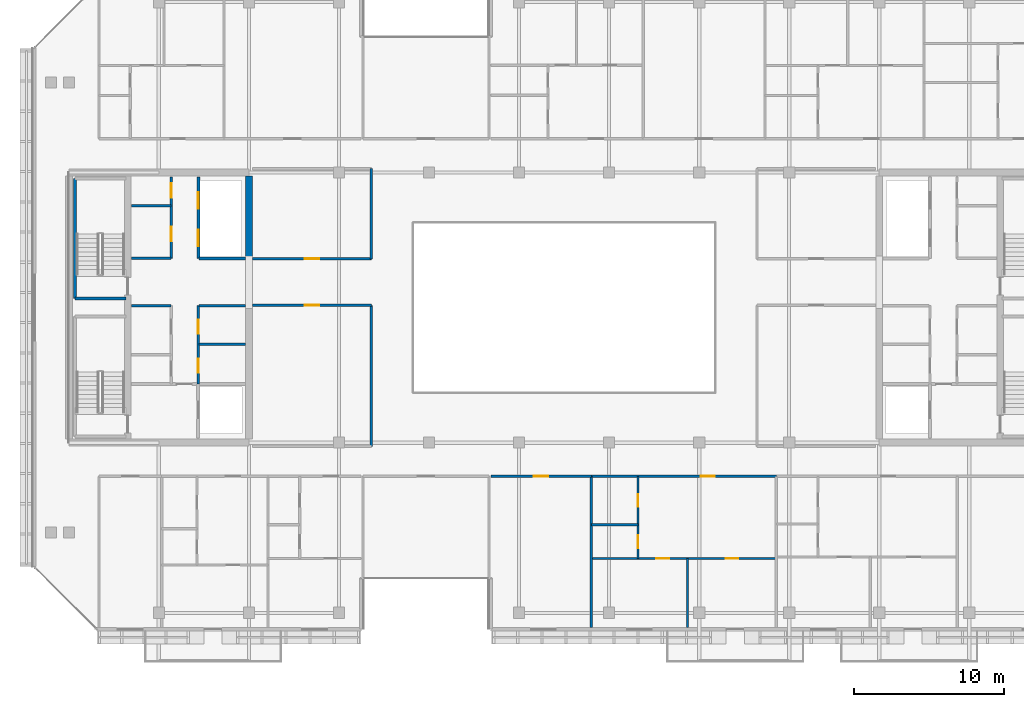
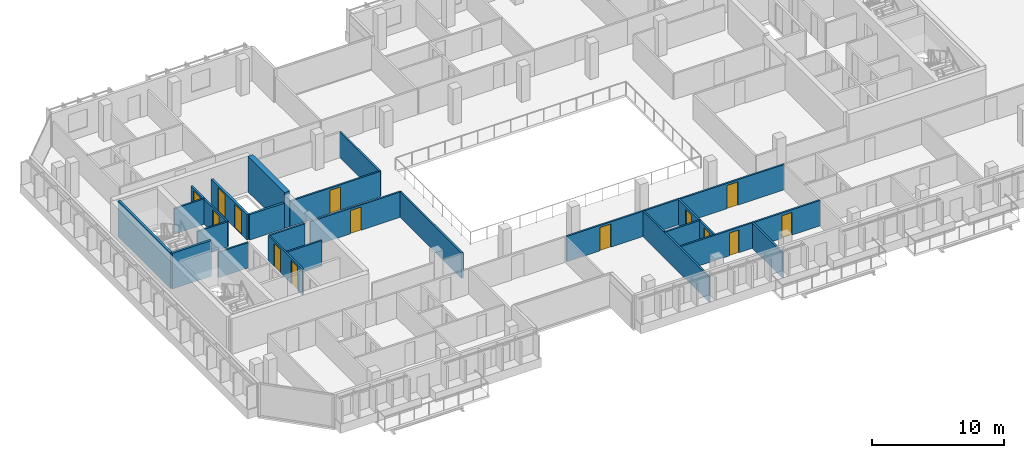
# One storey, part 15 of 25: 23 walls, 14 doors, 14 openings.
"""IFC4 building model written with IfcOpenShell, lengths in metres."""

from ifc_helpers import new_model, si_unit, direction, frame, frame_2d, origin, place, context, subcontext, project, spatial, rectangle, extrude, material, layer, layer_set, type_object, element, fill, save


model = new_model("IFC4")

# Units and contexts
model_context = context("Model", 3, precision=1e-05, world=origin(), true_north=direction((0.0, 1.0)))
body_context = subcontext(model_context, "Body", "Model", "MODEL_VIEW")
ifc_project = project(units=[si_unit("LENGTHUNIT", "METRE"), si_unit("AREAUNIT", "SQUARE_METRE"), si_unit("VOLUMEUNIT", "CUBIC_METRE"), si_unit("PLANEANGLEUNIT", "RADIAN"), si_unit("MASSUNIT", "GRAM", prefix="KILO")], contexts=[model_context])

# Site, building, storey
site_placement = place(None, origin())
site = spatial("IfcSite", under=ifc_project, at=site_placement, CompositionType="ELEMENT")
building_placement = place(site_placement, origin())
building = spatial("IfcBuilding", under=site, at=building_placement, Name="Tanjung Sevakor Pilgrim Tower", CompositionType="ELEMENT")
storey_placement = place(building_placement, frame((0.0, 0.0, 204.929931640625)))
storey = spatial("IfcBuildingStorey", under=building, at=storey_placement, Name="L57", CompositionType="ELEMENT", Elevation=204.929931640625)

# Walls
ifc_material_1 = material(Name="Concrete C60/75", Category="concrete")
ifc_layer_1 = layer(ifc_material_1, 0.449951171875)
ifc_layer_set_1 = layer_set([ifc_layer_1], Name="WALL-CW-450")
wall_type_1 = type_object("IfcWallType", Name="WALL-CW-450", PredefinedType="SHEAR", material=ifc_layer_set_1)
wall_1_placement = place(storey_placement, frame((36.0, 36.800048828125, 0.0), z_axis=(0.0, 0.0, 1.0), x_axis=(0.0, 1.0, 0.0)))
element("IfcWall", 1, at=wall_1_placement, inside=storey, type_object=wall_type_1, Name="L57 W Core Inner Shear Wall North", PredefinedType="SHEAR", context=body_context, shape_type="SweptSolid", body=[
    extrude(rectangle(XDim=5.574951171875, YDim=0.449951171875, at=frame_2d((2.78759765625, 0.0))), origin(), (0.0, 0.0, 1.0), 3.300048828125),
])
ifc_material_2 = material(Name="Concrete C40/50", Category="concrete")
ifc_layer_2 = layer(ifc_material_2, 0.14990234375)
ifc_layer_set_2 = layer_set([ifc_layer_2], Name="WT-COMP-150")
wall_type_2 = type_object("IfcWallType", Name="WT-COMP-150", PredefinedType="SOLIDWALL", material=ifc_layer_set_2)
wall_2_placement = place(storey_placement, frame((28.169921875, 33.719970703125, 0.0), z_axis=(0.0, 0.0, 1.0), x_axis=(1.0, 0.0, 0.0)))
element("IfcWall", 2, at=wall_2_placement, inside=storey, type_object=wall_type_2, Name="L57 Partition IW-L57-004", PredefinedType="SOLIDWALL", context=body_context, shape_type="SweptSolid", body=[
    extrude(rectangle(XDim=2.630126953125, YDim=0.14990234375, at=frame_2d((1.31494140625, 0.0))), origin(), (0.0, 0.0, 1.0), 2.35009765625),
])
for number, where, z_axis, x_axis, name in (
    (3, (32.679931640625, 31.14990234375, 0.0), (0.0, 0.0, 1.0), (1.0, 0.0, 0.0), "L57 Partition IW-L57-006"),
    (4, (32.679931640625, 33.719970703125, 0.0), (0.0, 0.0, 1.0), (1.0, 0.0, 0.0), "L57 Partition IW-L57-007"),
):
    element("IfcWall", number, at=place(storey_placement, frame(where, z_axis=z_axis, x_axis=x_axis)), inside=storey, type_object=wall_type_2, Name=name, PredefinedType="SOLIDWALL", context=body_context, shape_type="SweptSolid", body=[
        extrude(rectangle(XDim=3.074951171875, YDim=0.14990234375, at=frame_2d((1.53759765625, 0.0))), origin(), (0.0, 0.0, 1.0), 2.35009765625),
    ])

# Wall, openings, doors
wall_3_placement = place(storey_placement, frame((32.6201171875, 28.5, 0.0), z_axis=(0.0, 0.0, 1.0), x_axis=(0.0, 1.0, 0.0)))
wall_3 = element("IfcWall", 5, at=wall_3_placement, inside=storey, type_object=wall_type_2, Name="L57 Partition IW-L57-008", PredefinedType="SOLIDWALL", context=body_context, shape_type="SweptSolid", body=[
    extrude(rectangle(XDim=5.219970703125, YDim=0.14990234375, at=frame_2d((2.60986328125, 0.0))), origin(), (0.0, 0.0, 1.0), 2.35009765625),
])
opening_1_placement = place(wall_3_placement, frame((0.75, 0.0, 0.0)))
opening_1 = element("IfcOpeningElement", 6, at=opening_1_placement, cuts=wall_3, Name="Opening ID-FD2", PredefinedType="OPENING", context=body_context, shape_type="SweptSolid", body=[
    extrude(rectangle(XDim=0.949951171875, YDim=2.14990234375, at=frame_2d((0.47509765625, 1.074951171875))), frame((0.0, 0.0849609375, 0.0), z_axis=(0.0, -1.0, 0.0), x_axis=(1.0, 0.0, 0.0)), (0.0, 0.0, 1.0), 0.169921875),
])
opening_2_placement = place(wall_3_placement, frame((3.35009765625, 0.0, 0.0)))
opening_2 = element("IfcOpeningElement", 7, at=opening_2_placement, cuts=wall_3, Name="Opening ID-FD2", PredefinedType="OPENING", context=body_context, shape_type="SweptSolid", body=[
    extrude(rectangle(XDim=0.949951171875, YDim=2.14990234375, at=frame_2d((0.47509765625, 1.074951171875))), frame((0.0, 0.0849609375, 0.0), z_axis=(0.0, -1.0, 0.0), x_axis=(1.0, 0.0, 0.0)), (0.0, 0.0, 1.0), 0.169921875),
])
ifc_material_3 = material(Name="Fire-Rated Timber", Category="wood")
door_type_1 = type_object("IfcDoorType", Name="DT-FIRE-950", OperationType="NOTDEFINED", PredefinedType="DOOR", material=ifc_material_3)
door_1_placement = place(opening_1_placement, origin())
door_1 = element("IfcDoor", 8, at=door_1_placement, inside=storey, type_object=door_type_1, Name="L57 Accessible WC Door", OperationType="SINGLE_SWING_RIGHT", OverallHeight=2.14990234375, OverallWidth=0.949951171875, PredefinedType="DOOR", context=body_context, shape_type="SweptSolid", body=[
    extrude(rectangle(XDim=0.949951171875, YDim=2.14990234375, at=frame_2d((0.47509765625, 1.074951171875))), frame((0.0, 0.02490234375, 0.0), z_axis=(0.0, -1.0, 0.0), x_axis=(1.0, 0.0, 0.0)), (0.0, 0.0, 1.0), 0.050048828125),
])
fill(opening_1, door_1)
door_2_placement = place(opening_2_placement, origin())
door_2 = element("IfcDoor", 9, at=door_2_placement, inside=storey, type_object=door_type_1, Name="L57 Core Service Door", OperationType="SINGLE_SWING_LEFT", OverallHeight=2.14990234375, OverallWidth=0.949951171875, PredefinedType="DOOR", context=body_context, shape_type="SweptSolid", body=[
    extrude(rectangle(XDim=0.949951171875, YDim=2.14990234375, at=frame_2d((0.47509765625, 1.074951171875))), frame((0.0, 0.02490234375, 0.0), z_axis=(0.0, -1.0, 0.0), x_axis=(1.0, 0.0, 0.0)), (0.0, 0.0, 1.0), 0.050048828125),
])
fill(opening_2, door_2)

# Walls
for number, where, z_axis, x_axis, name in (
    (10, (28.169921875, 36.8798828125, 0.0), (0.0, 0.0, 1.0), (1.0, 0.0, 0.0), "L57 Partition IW-L57-009"),
    (11, (28.169921875, 40.389892578125, 0.0), (0.0, 0.0, 1.0), (1.0, 0.0, 0.0), "L57 Partition IW-L57-010"),
):
    element("IfcWall", number, at=place(storey_placement, frame(where, z_axis=z_axis, x_axis=x_axis)), inside=storey, type_object=wall_type_2, Name=name, PredefinedType="SOLIDWALL", context=body_context, shape_type="SweptSolid", body=[
        extrude(rectangle(XDim=2.630126953125, YDim=0.14990234375, at=frame_2d((1.31494140625, 0.0))), origin(), (0.0, 0.0, 1.0), 2.35009765625),
    ])

# Wall, openings, doors
wall_4_placement = place(storey_placement, frame((30.820068359375, 36.8798828125, 0.0), z_axis=(0.0, 0.0, 1.0), x_axis=(0.0, 1.0, 0.0)))
wall_4 = element("IfcWall", 12, at=wall_4_placement, inside=storey, type_object=wall_type_2, Name="L57 Partition IW-L57-011", PredefinedType="SOLIDWALL", context=body_context, shape_type="SweptSolid", body=[
    extrude(rectangle(XDim=5.420166015625, YDim=0.14990234375, at=frame_2d((2.7099609375, 0.0))), origin(), (0.0, 0.0, 1.0), 2.35009765625),
])
opening_3_placement = place(wall_4_placement, frame((1.14990234375, 0.0, 0.0)))
opening_3 = element("IfcOpeningElement", 13, at=opening_3_placement, cuts=wall_4, Name="Opening ID-FD2", PredefinedType="OPENING", context=body_context, shape_type="SweptSolid", body=[
    extrude(rectangle(XDim=0.949951171875, YDim=2.14990234375, at=frame_2d((0.47509765625, 1.074951171875))), frame((0.0, 0.0849609375, 0.0), z_axis=(0.0, -1.0, 0.0), x_axis=(1.0, 0.0, 0.0)), (0.0, 0.0, 1.0), 0.169921875),
])
opening_4_placement = place(wall_4_placement, frame((4.050048828125, 0.0, 0.0)))
opening_4 = element("IfcOpeningElement", 14, at=opening_4_placement, cuts=wall_4, Name="Opening ID-FD2", PredefinedType="OPENING", context=body_context, shape_type="SweptSolid", body=[
    extrude(rectangle(XDim=0.949951171875, YDim=2.14990234375, at=frame_2d((0.47509765625, 1.074951171875))), frame((0.0, 0.0849609375, 0.0), z_axis=(0.0, -1.0, 0.0), x_axis=(1.0, 0.0, 0.0)), (0.0, 0.0, 1.0), 0.169921875),
])
door_3_placement = place(opening_3_placement, origin())
door_3 = element("IfcDoor", 15, at=door_3_placement, inside=storey, type_object=door_type_1, Name="L57 Core Study Room Door", OperationType="SINGLE_SWING_RIGHT", OverallHeight=2.14990234375, OverallWidth=0.949951171875, PredefinedType="DOOR", context=body_context, shape_type="SweptSolid", body=[
    extrude(rectangle(XDim=0.949951171875, YDim=2.14990234375, at=frame_2d((0.47509765625, 1.074951171875))), frame((0.0, 0.02490234375, 0.0), z_axis=(0.0, -1.0, 0.0), x_axis=(1.0, 0.0, 0.0)), (0.0, 0.0, 1.0), 0.050048828125),
])
fill(opening_3, door_3)
door_4_placement = place(opening_4_placement, origin())
door_4 = element("IfcDoor", 16, at=door_4_placement, inside=storey, type_object=door_type_1, Name="L57 Service Store Door", OperationType="SINGLE_SWING_LEFT", OverallHeight=2.14990234375, OverallWidth=0.949951171875, PredefinedType="DOOR", context=body_context, shape_type="SweptSolid", body=[
    extrude(rectangle(XDim=0.949951171875, YDim=2.14990234375, at=frame_2d((0.47509765625, 1.074951171875))), frame((0.0, 0.02490234375, 0.0), z_axis=(0.0, -1.0, 0.0), x_axis=(1.0, 0.0, 0.0)), (0.0, 0.0, 1.0), 0.050048828125),
])
fill(opening_4, door_4)

# Wall, opening, door
wall_5_placement = place(storey_placement, frame((36.2451171875, 33.75, 0.0), z_axis=(0.0, 0.0, 1.0), x_axis=(1.0, 0.0, 0.0)))
wall_5 = element("IfcWall", 17, at=wall_5_placement, inside=storey, type_object=wall_type_2, Name="L57 Partition IW-L57-028", PredefinedType="SOLIDWALL", context=body_context, shape_type="SweptSolid", body=[
    extrude(rectangle(XDim=7.90478515625, YDim=0.14990234375, at=frame_2d((3.952392578125, 0.0))), origin(), (0.0, 0.0, 1.0), 2.35009765625),
])
opening_5_placement = place(wall_5_placement, frame((3.4775390625, 0.0, 0.0)))
opening_5 = element("IfcOpeningElement", 18, at=opening_5_placement, cuts=wall_5, Name="Opening ID-RM1", PredefinedType="OPENING", context=body_context, shape_type="SweptSolid", body=[
    extrude(rectangle(XDim=0.949951171875, YDim=2.14990234375, at=frame_2d((0.47509765625, 1.074951171875))), frame((0.0, 0.0849609375, 0.0), z_axis=(0.0, -1.0, 0.0), x_axis=(1.0, 0.0, 0.0)), (0.0, 0.0, 1.0), 0.169921875),
])
ifc_material_4 = material(Name="Hardwood Timber", Category="wood")
door_type_2 = type_object("IfcDoorType", Name="DT-INT-950", OperationType="NOTDEFINED", PredefinedType="DOOR", material=ifc_material_4)
door_5_placement = place(opening_5_placement, origin())
door_5 = element("IfcDoor", 19, at=door_5_placement, inside=storey, type_object=door_type_2, Name="L57 West Inboard South Door", OperationType="SINGLE_SWING_RIGHT", OverallHeight=2.14990234375, OverallWidth=0.949951171875, PredefinedType="DOOR", context=body_context, shape_type="SweptSolid", body=[
    extrude(rectangle(XDim=0.949951171875, YDim=2.14990234375, at=frame_2d((0.47509765625, 1.074951171875))), frame((0.0, 0.02490234375, 0.0), z_axis=(0.0, -1.0, 0.0), x_axis=(1.0, 0.0, 0.0)), (0.0, 0.0, 1.0), 0.050048828125),
])
fill(opening_5, door_5)

# Wall
wall_6_placement = place(storey_placement, frame((44.14990234375, 24.35009765625, 0.0), z_axis=(0.0, 0.0, 1.0), x_axis=(0.0, 1.0, 0.0)))
element("IfcWall", 20, at=wall_6_placement, inside=storey, type_object=wall_type_2, Name="L57 Partition IW-L57-029", PredefinedType="SOLIDWALL", context=body_context, shape_type="SweptSolid", body=[
    extrude(rectangle(XDim=9.39990234375, YDim=0.14990234375, at=frame_2d((4.699951171875, 0.0))), origin(), (0.0, 0.0, 1.0), 2.35009765625),
])

# Wall, opening, door
wall_7_placement = place(storey_placement, frame((36.2451171875, 36.85009765625, 0.0), z_axis=(0.0, 0.0, 1.0), x_axis=(1.0, 0.0, 0.0)))
wall_7 = element("IfcWall", 21, at=wall_7_placement, inside=storey, type_object=wall_type_2, Name="L57 Partition IW-L57-030", PredefinedType="SOLIDWALL", context=body_context, shape_type="SweptSolid", body=[
    extrude(rectangle(XDim=7.90478515625, YDim=0.14990234375, at=frame_2d((3.952392578125, 0.0))), origin(), (0.0, 0.0, 1.0), 2.35009765625),
])
opening_6_placement = place(wall_7_placement, frame((3.4775390625, 0.0, 0.0)))
opening_6 = element("IfcOpeningElement", 22, at=opening_6_placement, cuts=wall_7, Name="Opening ID-RM1", PredefinedType="OPENING", context=body_context, shape_type="SweptSolid", body=[
    extrude(rectangle(XDim=0.949951171875, YDim=2.14990234375, at=frame_2d((0.47509765625, 1.074951171875))), frame((0.0, 0.0849609375, 0.0), z_axis=(0.0, -1.0, 0.0), x_axis=(1.0, 0.0, 0.0)), (0.0, 0.0, 1.0), 0.169921875),
])
door_6_placement = place(opening_6_placement, origin())
door_6 = element("IfcDoor", 23, at=door_6_placement, inside=storey, type_object=door_type_2, Name="L57 West Inboard North Door", OperationType="SINGLE_SWING_LEFT", OverallHeight=2.14990234375, OverallWidth=0.949951171875, PredefinedType="DOOR", context=body_context, shape_type="SweptSolid", body=[
    extrude(rectangle(XDim=0.949951171875, YDim=2.14990234375, at=frame_2d((0.47509765625, 1.074951171875))), frame((0.0, 0.02490234375, 0.0), z_axis=(0.0, -1.0, 0.0), x_axis=(1.0, 0.0, 0.0)), (0.0, 0.0, 1.0), 0.050048828125),
])
fill(opening_6, door_6)

# Walls
wall_8_placement = place(storey_placement, frame((44.14990234375, 36.85009765625, 0.0), z_axis=(0.0, 0.0, 1.0), x_axis=(0.0, 1.0, 0.0)))
element("IfcWall", 24, at=wall_8_placement, inside=storey, type_object=wall_type_2, Name="L57 Partition IW-L57-032", PredefinedType="SOLIDWALL", context=body_context, shape_type="SweptSolid", body=[
    extrude(rectangle(XDim=6.0, YDim=0.14990234375, at=frame_2d((3.0, 0.0))), origin(), (0.0, 0.0, 1.0), 2.35009765625),
])
wall_9_placement = place(storey_placement, frame((58.81787109375, 12.27001953125, 0.0), z_axis=(0.0, 0.0, 1.0), x_axis=(0.0, 1.0, 0.0)))
element("IfcWall", 25, at=wall_9_placement, inside=storey, type_object=wall_type_2, Name="L57 Partition IW-L57-058", PredefinedType="SOLIDWALL", context=body_context, shape_type="SweptSolid", body=[
    extrude(rectangle(XDim=10.080078125, YDim=0.14990234375, at=frame_2d((5.0400390625, 0.0))), origin(), (0.0, 0.0, 1.0), 2.35009765625),
])

# Wall, opening, door
wall_10_placement = place(storey_placement, frame((52.1201171875, 22.35009765625, 0.0), z_axis=(0.0, 0.0, 1.0), x_axis=(1.0, 0.0, 0.0)))
wall_10 = element("IfcWall", 26, at=wall_10_placement, inside=storey, type_object=wall_type_2, Name="L57 Partition IW-L57-059", PredefinedType="SOLIDWALL", context=body_context, shape_type="SweptSolid", body=[
    extrude(rectangle(XDim=6.69775390625, YDim=0.14990234375, at=frame_2d((3.348876953125, 0.0))), origin(), (0.0, 0.0, 1.0), 2.35009765625),
])
opening_7_placement = place(wall_10_placement, frame((2.873779296875, 0.0, 0.0)))
opening_7 = element("IfcOpeningElement", 27, at=opening_7_placement, cuts=wall_10, Name="Opening ID-FD2", PredefinedType="OPENING", context=body_context, shape_type="SweptSolid", body=[
    extrude(rectangle(XDim=0.949951171875, YDim=2.14990234375, at=frame_2d((0.47509765625, 1.074951171875))), frame((0.0, 0.0849609375, 0.0), z_axis=(0.0, -1.0, 0.0), x_axis=(1.0, 0.0, 0.0)), (0.0, 0.0, 1.0), 0.169921875),
])
door_7_placement = place(opening_7_placement, origin())
door_7 = element("IfcDoor", 28, at=door_7_placement, inside=storey, type_object=door_type_1, Name="Housekeeping Pantry Door", OperationType="SINGLE_SWING_LEFT", OverallHeight=2.14990234375, OverallWidth=0.949951171875, PredefinedType="DOOR", context=body_context, shape_type="SweptSolid", body=[
    extrude(rectangle(XDim=0.949951171875, YDim=2.14990234375, at=frame_2d((0.47509765625, 1.074951171875))), frame((0.0, 0.02490234375, 0.0), z_axis=(0.0, -1.0, 0.0), x_axis=(1.0, 0.0, 0.0)), (0.0, 0.0, 1.0), 0.050048828125),
])
fill(opening_7, door_7)

wall_11_placement = place(storey_placement, frame((58.81787109375, 22.35009765625, 0.0), z_axis=(0.0, 0.0, 1.0), x_axis=(1.0, 0.0, 0.0)))
wall_11 = element("IfcWall", 29, at=wall_11_placement, inside=storey, type_object=wall_type_2, Name="L57 Partition IW-L57-065", PredefinedType="SOLIDWALL", context=body_context, shape_type="SweptSolid", body=[
    extrude(rectangle(XDim=12.32373046875, YDim=0.14990234375, at=frame_2d((6.161865234375, 0.0))), origin(), (0.0, 0.0, 1.0), 2.35009765625),
])
opening_8_placement = place(wall_11_placement, frame((7.278076171875, 0.0, 0.0)))
opening_8 = element("IfcOpeningElement", 30, at=opening_8_placement, cuts=wall_11, Name="Opening ID-FD2", PredefinedType="OPENING", context=body_context, shape_type="SweptSolid", body=[
    extrude(rectangle(XDim=0.949951171875, YDim=2.14990234375, at=frame_2d((0.47509765625, 1.074951171875))), frame((0.0, 0.0849609375, 0.0), z_axis=(0.0, -1.0, 0.0), x_axis=(1.0, 0.0, 0.0)), (0.0, 0.0, 1.0), 0.169921875),
])
door_8_placement = place(opening_8_placement, origin())
door_8 = element("IfcDoor", 31, at=door_8_placement, inside=storey, type_object=door_type_1, Name="Suite Entrance", OperationType="SINGLE_SWING_RIGHT", OverallHeight=2.14990234375, OverallWidth=0.949951171875, PredefinedType="DOOR", context=body_context, shape_type="SweptSolid", body=[
    extrude(rectangle(XDim=0.949951171875, YDim=2.14990234375, at=frame_2d((0.47509765625, 1.074951171875))), frame((0.0, 0.02490234375, 0.0), z_axis=(0.0, -1.0, 0.0), x_axis=(1.0, 0.0, 0.0)), (0.0, 0.0, 1.0), 0.050048828125),
])
fill(opening_8, door_8)

# Walls
ifc_material_5 = material(Name="Concrete C40/50", Category="concrete")
ifc_layer_3 = layer(ifc_material_5, 0.199951171875)
ifc_layer_set_3 = layer_set([ifc_layer_3], Name="WT-FIRE-200")
wall_type_3 = type_object("IfcWallType", Name="WT-FIRE-200", PredefinedType="SOLIDWALL", material=ifc_layer_set_3)
wall_12_placement = place(storey_placement, frame((24.39990234375, 34.199951171875, 0.0), z_axis=(0.0, 0.0, 1.0), x_axis=(1.0, 0.0, 0.0)))
element("IfcWall", 32, at=wall_12_placement, inside=storey, type_object=wall_type_3, Name="L57 TS-W2 Shaft Wall 1", PredefinedType="SOLIDWALL", context=body_context, shape_type="SweptSolid", body=[
    extrude(rectangle(XDim=3.400146484375, YDim=0.199951171875, at=frame_2d((1.7001953125, 0.0))), origin(), (0.0, 0.0, 1.0), 3.300048828125),
])
wall_13_placement = place(storey_placement, frame((24.39990234375, 42.199951171875, 0.0), z_axis=(0.0, 0.0, 1.0), x_axis=(0.0, -1.0, 0.0)))
element("IfcWall", 33, at=wall_13_placement, inside=storey, type_object=wall_type_3, Name="L57 TS-W2 Shaft Wall 3", PredefinedType="SOLIDWALL", context=body_context, shape_type="SweptSolid", body=[
    extrude(rectangle(XDim=8.0, YDim=0.199951171875, at=frame_2d((4.0, 0.0))), origin(), (0.0, 0.0, 1.0), 3.300048828125),
])
ifc_material_6 = material(Name="Concrete C40/50", Category="concrete")
ifc_layer_4 = layer(ifc_material_6, 0.199951171875)
ifc_layer_set_4 = layer_set([ifc_layer_4], Name="WT-FPRT-200")
wall_type_4 = type_object("IfcWallType", Name="WT-FPRT-200", PredefinedType="SOLIDWALL", material=ifc_layer_set_4)
wall_14_placement = place(storey_placement, frame((32.679931640625, 36.8798828125, 0.0), z_axis=(0.0, 0.0, 1.0), x_axis=(1.0, 0.0, 0.0)))
element("IfcWall", 34, at=wall_14_placement, inside=storey, type_object=wall_type_4, Name="L57 Partition IW-L57-012", PredefinedType="SOLIDWALL", context=body_context, shape_type="SweptSolid", body=[
    extrude(rectangle(XDim=3.074951171875, YDim=0.199951171875, at=frame_2d((1.53759765625, 0.0))), origin(), (0.0, 0.0, 1.0), 2.35009765625),
])

# Wall, openings, doors
wall_15_placement = place(storey_placement, frame((32.6201171875, 36.8798828125, 0.0), z_axis=(0.0, 0.0, 1.0), x_axis=(0.0, 1.0, 0.0)))
wall_15 = element("IfcWall", 35, at=wall_15_placement, inside=storey, type_object=wall_type_4, Name="L57 Partition IW-L57-013", PredefinedType="SOLIDWALL", context=body_context, shape_type="SweptSolid", body=[
    extrude(rectangle(XDim=5.420166015625, YDim=0.199951171875, at=frame_2d((2.7099609375, 0.0))), origin(), (0.0, 0.0, 1.0), 2.35009765625),
])
opening_9_placement = place(wall_15_placement, frame((0.800048828125, 0.0, 0.0)))
opening_9 = element("IfcOpeningElement", 36, at=opening_9_placement, cuts=wall_15, Name="Opening LD-1100", PredefinedType="OPENING", context=body_context, shape_type="SweptSolid", body=[
    extrude(rectangle(XDim=1.10009765625, YDim=2.199951171875, at=frame_2d((0.550048828125, 1.10009765625))), frame((0.0, 0.10986328125, 0.0), z_axis=(0.0, -1.0, 0.0), x_axis=(1.0, 0.0, 0.0)), (0.0, 0.0, 1.0), 0.219970703125),
])
opening_10_placement = place(wall_15_placement, frame((3.300048828125, 0.0, 0.0)))
opening_10 = element("IfcOpeningElement", 37, at=opening_10_placement, cuts=wall_15, Name="Opening LD-1100", PredefinedType="OPENING", context=body_context, shape_type="SweptSolid", body=[
    extrude(rectangle(XDim=1.10009765625, YDim=2.199951171875, at=frame_2d((0.550048828125, 1.10009765625))), frame((0.0, 0.10986328125, 0.0), z_axis=(0.0, -1.0, 0.0), x_axis=(1.0, 0.0, 0.0)), (0.0, 0.0, 1.0), 0.219970703125),
])
ifc_material_7 = material(Name="Brushed Stainless Steel S355J2", Category="steel")
door_type_3 = type_object("IfcDoorType", Name="DT-LIFT-1100", OperationType="SLIDING_TO_LEFT", PredefinedType="DOOR", material=ifc_material_7)
door_9_placement = place(opening_9_placement, origin())
door_9 = element("IfcDoor", 38, at=door_9_placement, inside=storey, type_object=door_type_3, Name="LD-PLH1-W", OperationType="SLIDING_TO_LEFT", OverallHeight=2.199951171875, OverallWidth=1.10009765625, PredefinedType="DOOR", context=body_context, shape_type="SweptSolid", body=[
    extrude(rectangle(XDim=1.10009765625, YDim=2.199951171875, at=frame_2d((0.550048828125, 1.10009765625))), frame((0.0, 0.02490234375, 0.0), z_axis=(0.0, -1.0, 0.0), x_axis=(1.0, 0.0, 0.0)), (0.0, 0.0, 1.0), 0.050048828125),
])
fill(opening_9, door_9)
door_10_placement = place(opening_10_placement, origin())
door_10 = element("IfcDoor", 39, at=door_10_placement, inside=storey, type_object=door_type_3, Name="LD-PLH2-W", OperationType="SLIDING_TO_RIGHT", OverallHeight=2.199951171875, OverallWidth=1.10009765625, PredefinedType="DOOR", context=body_context, shape_type="SweptSolid", body=[
    extrude(rectangle(XDim=1.10009765625, YDim=2.199951171875, at=frame_2d((0.550048828125, 1.10009765625))), frame((0.0, 0.02490234375, 0.0), z_axis=(0.0, -1.0, 0.0), x_axis=(1.0, 0.0, 0.0)), (0.0, 0.0, 1.0), 0.050048828125),
])
fill(opening_10, door_10)

# Wall
ifc_material_8 = material(Name="Gypsum Board Partition", Category="gypsum board")
ifc_layer_5 = layer(ifc_material_8, 0.14990234375)
ifc_layer_set_5 = layer_set([ifc_layer_5], Name="WT-PART-150")
wall_type_5 = type_object("IfcWallType", Name="WT-PART-150", PredefinedType="PARTITIONING", material=ifc_layer_set_5)
wall_16_placement = place(storey_placement, frame((58.81787109375, 19.11865234375, 0.0), z_axis=(0.0, 0.0, 1.0), x_axis=(1.0, 0.0, 0.0)))
element("IfcWall", 40, at=wall_16_placement, inside=storey, type_object=wall_type_5, Name="L57 Partition IW-L57-061", PredefinedType="PARTITIONING", context=body_context, shape_type="SweptSolid", body=[
    extrude(rectangle(XDim=3.10205078125, YDim=0.14990234375, at=frame_2d((1.551025390625, 0.0))), origin(), (0.0, 0.0, 1.0), 2.35009765625),
])

# Wall, openings, doors
wall_17_placement = place(storey_placement, frame((61.919921875, 16.873291015625, 0.0), z_axis=(0.0, 0.0, 1.0), x_axis=(0.0, 1.0, 0.0)))
wall_17 = element("IfcWall", 41, at=wall_17_placement, inside=storey, type_object=wall_type_5, Name="L57 Partition IW-L57-062", PredefinedType="PARTITIONING", context=body_context, shape_type="SweptSolid", body=[
    extrude(rectangle(XDim=5.476806640625, YDim=0.14990234375, at=frame_2d((2.73828125, 0.0))), origin(), (0.0, 0.0, 1.0), 2.35009765625),
])
opening_11_placement = place(wall_17_placement, frame((0.69775390625, 0.0, 0.0)))
opening_11 = element("IfcOpeningElement", 42, at=opening_11_placement, cuts=wall_17, Name="Opening ID-WC1", PredefinedType="OPENING", context=body_context, shape_type="SweptSolid", body=[
    extrude(rectangle(XDim=0.85009765625, YDim=2.10009765625, at=frame_2d((0.425048828125, 1.050048828125))), frame((0.0, 0.0849609375, 0.0), z_axis=(0.0, -1.0, 0.0), x_axis=(1.0, 0.0, 0.0)), (0.0, 0.0, 1.0), 0.169921875),
])
opening_12_placement = place(wall_17_placement, frame((3.43603515625, 0.0, 0.0)))
opening_12 = element("IfcOpeningElement", 43, at=opening_12_placement, cuts=wall_17, Name="Opening ID-WC1", PredefinedType="OPENING", context=body_context, shape_type="SweptSolid", body=[
    extrude(rectangle(XDim=0.85009765625, YDim=2.10009765625, at=frame_2d((0.425048828125, 1.050048828125))), frame((0.0, 0.0849609375, 0.0), z_axis=(0.0, -1.0, 0.0), x_axis=(1.0, 0.0, 0.0)), (0.0, 0.0, 1.0), 0.169921875),
])
ifc_material_9 = material(Name="Moisture-Resistant Timber", Category="wood")
door_type_4 = type_object("IfcDoorType", Name="DT-INT-850", OperationType="NOTDEFINED", PredefinedType="DOOR", material=ifc_material_9)
door_11_placement = place(opening_11_placement, origin())
door_11 = element("IfcDoor", 44, at=door_11_placement, inside=storey, type_object=door_type_4, Name="Suite Bathroom Door", OperationType="SINGLE_SWING_RIGHT", OverallHeight=2.10009765625, OverallWidth=0.85009765625, PredefinedType="DOOR", context=body_context, shape_type="SweptSolid", body=[
    extrude(rectangle(XDim=0.85009765625, YDim=2.10009765625, at=frame_2d((0.425048828125, 1.050048828125))), frame((0.0, 0.02490234375, 0.0), z_axis=(0.0, -1.0, 0.0), x_axis=(1.0, 0.0, 0.0)), (0.0, 0.0, 1.0), 0.050048828125),
])
fill(opening_11, door_11)
door_12_placement = place(opening_12_placement, origin())
door_12 = element("IfcDoor", 45, at=door_12_placement, inside=storey, type_object=door_type_4, Name="Suite Kitchenette Door", OperationType="SINGLE_SWING_LEFT", OverallHeight=2.10009765625, OverallWidth=0.85009765625, PredefinedType="DOOR", context=body_context, shape_type="SweptSolid", body=[
    extrude(rectangle(XDim=0.85009765625, YDim=2.10009765625, at=frame_2d((0.425048828125, 1.050048828125))), frame((0.0, 0.02490234375, 0.0), z_axis=(0.0, -1.0, 0.0), x_axis=(1.0, 0.0, 0.0)), (0.0, 0.0, 1.0), 0.050048828125),
])
fill(opening_12, door_12)

# Wall
wall_18_placement = place(storey_placement, frame((65.226318359375, 12.27001953125, 0.0), z_axis=(0.0, 0.0, 1.0), x_axis=(0.0, 1.0, 0.0)))
element("IfcWall", 46, at=wall_18_placement, inside=storey, type_object=wall_type_5, Name="L57 Partition IW-L57-063", PredefinedType="PARTITIONING", context=body_context, shape_type="SweptSolid", body=[
    extrude(rectangle(XDim=4.603271484375, YDim=0.14990234375, at=frame_2d((2.3017578125, 0.0))), origin(), (0.0, 0.0, 1.0), 2.35009765625),
])

# Wall, openings, doors
wall_19_placement = place(storey_placement, frame((58.81787109375, 16.873291015625, 0.0), z_axis=(0.0, 0.0, 1.0), x_axis=(1.0, 0.0, 0.0)))
wall_19 = element("IfcWall", 47, at=wall_19_placement, inside=storey, type_object=wall_type_5, Name="L57 Partition IW-L57-064", PredefinedType="PARTITIONING", context=body_context, shape_type="SweptSolid", body=[
    extrude(rectangle(XDim=12.32373046875, YDim=0.14990234375, at=frame_2d((6.161865234375, 0.0))), origin(), (0.0, 0.0, 1.0), 2.35009765625),
])
opening_13_placement = place(wall_19_placement, frame((4.330322265625, 0.0, 0.0)))
opening_13 = element("IfcOpeningElement", 48, at=opening_13_placement, cuts=wall_19, Name="Opening ID-WC1", PredefinedType="OPENING", context=body_context, shape_type="SweptSolid", body=[
    extrude(rectangle(XDim=0.85009765625, YDim=2.10009765625, at=frame_2d((0.425048828125, 1.050048828125))), frame((0.0, 0.0849609375, 0.0), z_axis=(0.0, -1.0, 0.0), x_axis=(1.0, 0.0, 0.0)), (0.0, 0.0, 1.0), 0.169921875),
])
opening_14_placement = place(wall_19_placement, frame((8.941162109375, 0.0, 0.0)))
opening_14 = element("IfcOpeningElement", 49, at=opening_14_placement, cuts=wall_19, Name="Opening ID-WC1", PredefinedType="OPENING", context=body_context, shape_type="SweptSolid", body=[
    extrude(rectangle(XDim=0.85009765625, YDim=2.10009765625, at=frame_2d((0.425048828125, 1.050048828125))), frame((0.0, 0.0849609375, 0.0), z_axis=(0.0, -1.0, 0.0), x_axis=(1.0, 0.0, 0.0)), (0.0, 0.0, 1.0), 0.169921875),
])
door_13_placement = place(opening_13_placement, origin())
door_13 = element("IfcDoor", 50, at=door_13_placement, inside=storey, type_object=door_type_4, Name="Suite Bedroom 1 Door", OperationType="SINGLE_SWING_RIGHT", OverallHeight=2.10009765625, OverallWidth=0.85009765625, PredefinedType="DOOR", context=body_context, shape_type="SweptSolid", body=[
    extrude(rectangle(XDim=0.85009765625, YDim=2.10009765625, at=frame_2d((0.425048828125, 1.050048828125))), frame((0.0, 0.02490234375, 0.0), z_axis=(0.0, -1.0, 0.0), x_axis=(1.0, 0.0, 0.0)), (0.0, 0.0, 1.0), 0.050048828125),
])
fill(opening_13, door_13)
door_14_placement = place(opening_14_placement, origin())
door_14 = element("IfcDoor", 51, at=door_14_placement, inside=storey, type_object=door_type_4, Name="Suite Bedroom 2 Door", OperationType="SINGLE_SWING_LEFT", OverallHeight=2.10009765625, OverallWidth=0.85009765625, PredefinedType="DOOR", context=body_context, shape_type="SweptSolid", body=[
    extrude(rectangle(XDim=0.85009765625, YDim=2.10009765625, at=frame_2d((0.425048828125, 1.050048828125))), frame((0.0, 0.02490234375, 0.0), z_axis=(0.0, -1.0, 0.0), x_axis=(1.0, 0.0, 0.0)), (0.0, 0.0, 1.0), 0.050048828125),
])
fill(opening_14, door_14)

save(model, "model.ifc")
